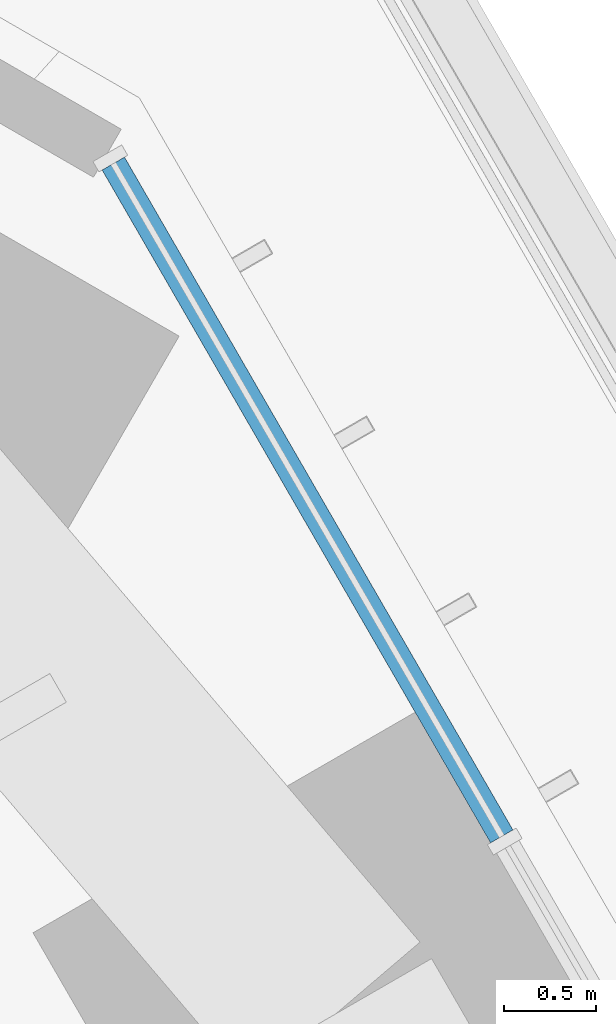
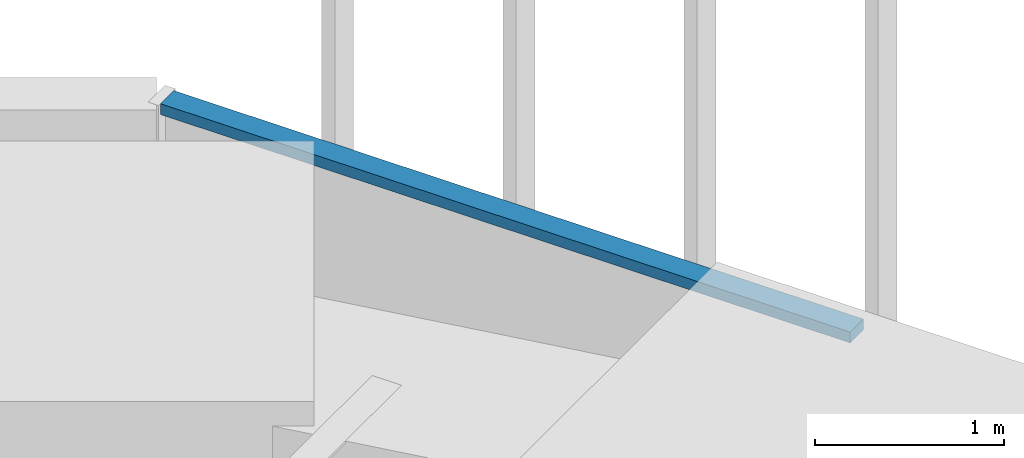
# One storey, part 224 of 238: 1 member, 1 element without a shape of its own.
"""IFC4 building model written with IfcOpenShell, lengths in metres."""

from ifc_helpers import new_model, si_unit, direction, frame, origin, origin_2d, place, context, subcontext, project, spatial, rectangle, extrude, material, material_profile, profile_set, type_object, element, aggregate, save


model = new_model("IFC4")

# Units and contexts
model_context = context("Model", 3, precision=1e-05, world=origin(), true_north=direction((0.0, 1.0)))
body_context = subcontext(model_context, "Body", "Model", "MODEL_VIEW")
ifc_project = project(units=[si_unit("LENGTHUNIT", "METRE"), si_unit("AREAUNIT", "SQUARE_METRE"), si_unit("VOLUMEUNIT", "CUBIC_METRE"), si_unit("PLANEANGLEUNIT", "RADIAN"), si_unit("MASSUNIT", "GRAM", prefix="KILO")], contexts=[model_context])

# Site, building, storey
site_placement = place(None, origin())
site = spatial("IfcSite", under=ifc_project, at=site_placement, CompositionType="ELEMENT")
building_placement = place(site_placement, origin())
building = spatial("IfcBuilding", under=site, at=building_placement, Name="Sandreach Pilgrim Tower", CompositionType="ELEMENT")
storey_placement = place(building_placement, frame((0.0, 0.0, 96.800048828125)))
storey = spatial("IfcBuildingStorey", under=building, at=storey_placement, Name="L23", CompositionType="ELEMENT", Elevation=96.800048828125)

# Curtain wall, member
ifc_material_1 = material(Name="Aluminium framed curtain wall", Category="aluminium")
curtain_wall_type = type_object("IfcCurtainWallType", Name="Hotel tower curtain wall", PredefinedType="NOTDEFINED", material=ifc_material_1)
curtain_wall_placement = place(storey_placement, origin())
curtain_wall = element("IfcCurtainWall", 1, at=curtain_wall_placement, inside=storey, type_object=curtain_wall_type, Name="CW-2 L23 NE", PredefinedType="NOTDEFINED")
ifc_material_2 = material(Name="Aluminium extrusion", Category="aluminium")
ifc_material_profile = material_profile(ifc_material_2, rectangle(XDim=0.139892578125, YDim=0.070068359375, at=origin_2d()), Name="CW-2T 140X70")
ifc_profile_set = profile_set([ifc_material_profile], Name="Aluminium extrusion")
member_type = type_object("IfcMemberType", Name="CW-2 transom", PredefinedType="USERDEFINED", material=ifc_profile_set)
member_placement = place(storey_placement, frame((20.14208984375, 21.49755859375, 3.60498046875), z_axis=(0.49997020258, -0.86604260665, 0.0), x_axis=(0.86604260665, 0.49997020258, 0.0)))
member = element("IfcMember", 2, at=member_placement, type_object=member_type, Name="CW-2 head transom 1", ObjectType="TRANSOM", PredefinedType="USERDEFINED", context=body_context, shape_type="SweptSolid", body=[
    extrude(rectangle(XDim=0.139892578125, YDim=0.070068359375, at=origin_2d()), origin(), (0.0, 0.0, 1.0), 4.208251953125),
])
aggregate(curtain_wall, [member])

save(model, "model.ifc")
